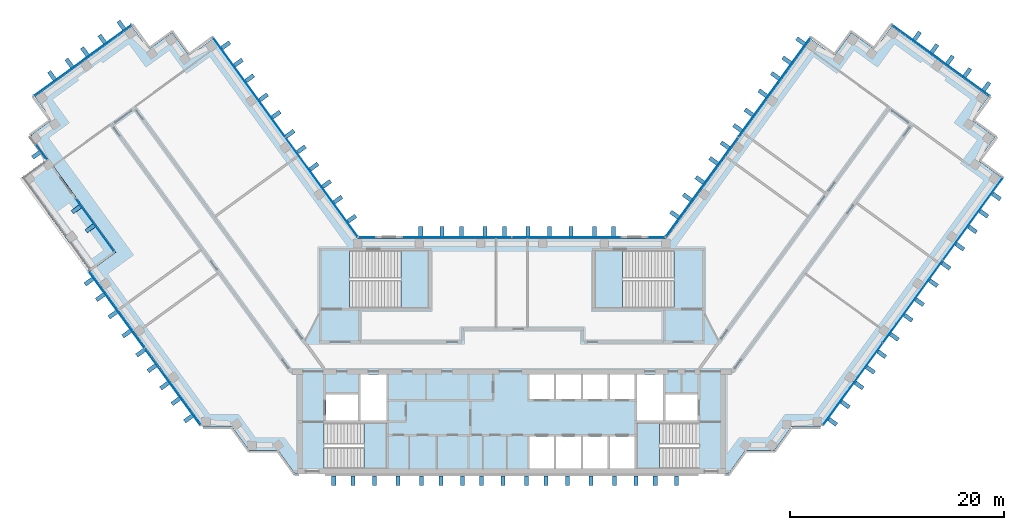
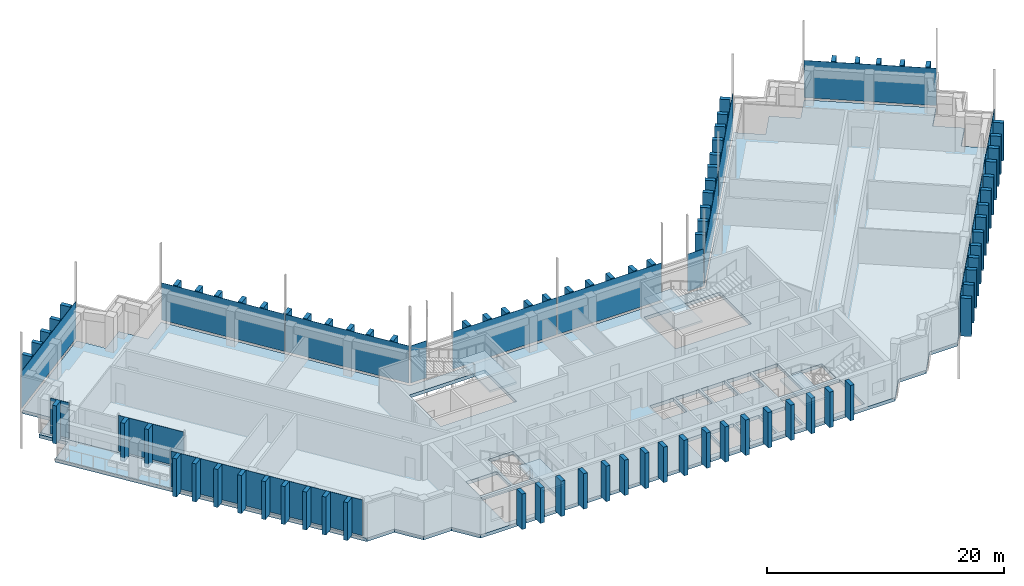
# One storey, part 6 of 13: 102 plates, 6 slabs, 15 elements without a shape of their own.
"""IFC4 building model written with IfcOpenShell, lengths in metres."""

from ifc_helpers import new_model, si_unit, direction, frame, origin, origin_2d, place, context, subcontext, project, spatial, polyline, rectangle, outline, extrude, material, layer, layer_set, type_object, element, aggregate, save


model = new_model("IFC4")

# Units and contexts
model_context = context("Model", 3, precision=1e-05, world=origin(), true_north=direction((0.0, 1.0)))
body_context = subcontext(model_context, "Body", "Model", "MODEL_VIEW")
ifc_project = project(units=[si_unit("LENGTHUNIT", "METRE"), si_unit("AREAUNIT", "SQUARE_METRE"), si_unit("VOLUMEUNIT", "CUBIC_METRE"), si_unit("PLANEANGLEUNIT", "RADIAN"), si_unit("MASSUNIT", "GRAM", prefix="KILO")], contexts=[model_context])

# Site, building, storey
site_placement = place(None, origin())
site = spatial("IfcSite", under=ifc_project, at=site_placement, CompositionType="ELEMENT")
building_placement = place(site_placement, origin())
building = spatial("IfcBuilding", under=site, at=building_placement, Name="Quipu Civic Tower", CompositionType="ELEMENT")
storey_placement = place(building_placement, frame((0.0, 0.0, 148.0)))
storey = spatial("IfcBuildingStorey", under=building, at=storey_placement, Name="L34", CompositionType="ELEMENT", Elevation=148.0)

# Slab
ifc_material_1 = material(Name="Concrete C40/50", Category="concrete")
ifc_layer_1 = layer(ifc_material_1, 0.35009765625)
ifc_layer_set_1 = layer_set([ifc_layer_1], Name="Concrete C40/50")
slab_type_1 = type_object("IfcSlabType", Name="Floor slab 350 C40/50", PredefinedType="FLOOR", material=ifc_layer_set_1)
slab_1_placement = place(storey_placement, frame((0.0, 0.0, -0.35009765625)))
element("IfcSlab", 1, at=slab_1_placement, inside=storey, type_object=slab_type_1, Name="Floor slab L34", PredefinedType="FLOOR", context=body_context, shape_type="SweptSolid", body=[
    extrude(outline(polyline([(-35.455078125, 30.800048828125), (-33.864990234375, 28.614990234375), (-31.68505859375, 30.199951171875), (-30.094970703125, 28.014892578125), (-27.909912109375, 29.60498046875), (-14.39501953125, 11.0), (14.39501953125, 11.0), (27.909912109375, 29.60498046875), (30.094970703125, 28.014892578125), (31.68505859375, 30.199951171875), (33.864990234375, 28.614990234375), (35.455078125, 30.800048828125), (44.514892578125, 24.215087890625), (42.929931640625, 22.030029296875), (45.114990234375, 20.445068359375), (43.52490234375, 18.260009765625), (45.7099609375, 16.669921875), (28.780029296875, -6.6298828125), (26.080078125, -6.6298828125), (24.489990234375, -8.81494140625), (21.7900390625, -8.81494140625), (20.205078125, -11.0), (-20.205078125, -11.0), (-21.7900390625, -8.81494140625), (-24.489990234375, -8.81494140625), (-26.080078125, -6.6298828125), (-28.780029296875, -6.6298828125), (-39.360107421875, 7.93505859375), (-36.93505859375, 9.699951171875), (-44.8701171875, 20.6201171875), (-42.929931640625, 22.030029296875), (-44.514892578125, 24.215087890625), (-35.455078125, 30.800048828125)]), holes=[polyline([(1.64990234375, -7.5), (1.64990234375, -10.5), (3.949951171875, -10.5), (3.949951171875, -7.5), (1.64990234375, -7.5)]), polyline([(4.14990234375, -7.5), (4.14990234375, -10.5), (6.449951171875, -10.5), (6.449951171875, -7.5), (4.14990234375, -7.5)]), polyline([(-11.705078125, -6.2548828125), (-17.4951171875, -6.2548828125), (-17.4951171875, -10.4951171875), (-11.705078125, -10.4951171875), (-11.705078125, -6.2548828125)]), polyline([(-17.35009765625, -3.60009765625), (-17.35009765625, -6.0), (-14.35009765625, -6.0), (-14.35009765625, -3.60009765625), (-17.35009765625, -3.60009765625)]), polyline([(-14.10009765625, -1.699951171875), (-14.10009765625, -6.0), (-11.699951171875, -6.0), (-11.699951171875, -1.699951171875), (-14.10009765625, -1.699951171875)]), polyline([(1.64990234375, -1.699951171875), (1.64990234375, -4.0), (3.949951171875, -4.0), (3.949951171875, -1.699951171875), (1.64990234375, -1.699951171875)]), polyline([(4.14990234375, -1.699951171875), (4.14990234375, -4.0), (6.449951171875, -4.0), (6.449951171875, -1.699951171875), (4.14990234375, -1.699951171875)]), polyline([(-7.7548828125, 9.844970703125), (-15.14501953125, 9.844970703125), (-15.14501953125, 4.5048828125), (-7.7548828125, 4.5048828125), (-7.7548828125, 9.844970703125)]), polyline([(6.64990234375, -7.5), (6.64990234375, -10.5), (8.949951171875, -10.5), (8.949951171875, -7.5), (6.64990234375, -7.5)]), polyline([(9.14990234375, -7.5), (9.14990234375, -10.5), (11.449951171875, -10.5), (11.449951171875, -7.5), (9.14990234375, -7.5)]), polyline([(11.705078125, -10.4951171875), (17.4951171875, -10.4951171875), (17.4951171875, -6.2548828125), (11.705078125, -6.2548828125), (11.705078125, -10.4951171875)]), polyline([(14.35009765625, -3.60009765625), (14.35009765625, -6.0), (17.35009765625, -6.0), (17.35009765625, -3.60009765625), (14.35009765625, -3.60009765625)]), polyline([(11.699951171875, -1.699951171875), (11.699951171875, -6.0), (14.10009765625, -6.0), (14.10009765625, -1.699951171875), (11.699951171875, -1.699951171875)]), polyline([(6.64990234375, -1.699951171875), (6.64990234375, -4.0), (8.949951171875, -4.0), (8.949951171875, -1.699951171875), (6.64990234375, -1.699951171875)]), polyline([(9.14990234375, -1.699951171875), (9.14990234375, -4.0), (11.449951171875, -4.0), (11.449951171875, -1.699951171875), (9.14990234375, -1.699951171875)]), polyline([(7.7548828125, 4.5048828125), (15.14501953125, 4.5048828125), (15.14501953125, 9.844970703125), (7.7548828125, 9.844970703125), (7.7548828125, 4.5048828125)])]), origin(), (0.0, 0.0, 1.0), 0.35009765625),
])

# Curtain wall, plate
ifc_material_2 = material(Name="Insulated glass unit", Category="glass")
curtain_wall_type = type_object("IfcCurtainWallType", Name="Office curtain wall CW1", PredefinedType="NOTDEFINED", material=ifc_material_2)
curtain_wall_1_placement = place(storey_placement, origin())
curtain_wall_1 = element("IfcCurtainWall", 2, at=curtain_wall_1_placement, inside=storey, type_object=curtain_wall_type, Name="Office curtain wall CW1 L34 run 2", PredefinedType="NOTDEFINED")
ifc_material_3 = material(Name="Insulated glass unit", Category="glass")
ifc_layer_2 = layer(ifc_material_3, 0.028076171875)
ifc_layer_set_2 = layer_set([ifc_layer_2], Name="Insulated glass unit")
plate_type_1 = type_object("IfcPlateType", Name="Glass panel CW1", PredefinedType="CURTAIN_PANEL", material=ifc_layer_set_2)
plate_1_placement = place(storey_placement, frame((-43.86376953125, 19.065185546875, 0.240234375), z_axis=(0.0, 0.0, 1.0), x_axis=(0.587762233854, -0.809033717749, 0.0)))
plate_1 = element("IfcPlate", 3, at=plate_1_placement, type_object=plate_type_1, Name="CW1 panel 1.1", PredefinedType="CURTAIN_PANEL", context=body_context, shape_type="SweptSolid", body=[
    extrude(rectangle(XDim=1.74267578125, YDim=0.028076171875, at=origin_2d()), origin(), (0.0, 0.0, 1.0), 3.679931640625),
])
aggregate(curtain_wall_1, [plate_1])

curtain_wall_2_placement = place(storey_placement, origin())
curtain_wall_2 = element("IfcCurtainWall", 4, at=curtain_wall_2_placement, inside=storey, type_object=curtain_wall_type, Name="Office curtain wall CW1 L34 run 5", PredefinedType="NOTDEFINED")
plate_2_placement = place(storey_placement, frame((-38.896728515625, 12.228515625, 0.240234375), z_axis=(0.0, 0.0, 1.0), x_axis=(0.587789972461, -0.809013564951, 0.0)))
plate_2 = element("IfcPlate", 5, at=plate_2_placement, type_object=plate_type_1, Name="CW1 panel 1.1", PredefinedType="CURTAIN_PANEL", context=body_context, shape_type="SweptSolid", body=[
    extrude(rectangle(XDim=6.04052734375, YDim=0.028076171875, at=origin_2d()), origin(), (0.0, 0.0, 1.0), 3.679931640625),
])
aggregate(curtain_wall_2, [plate_2])

# Curtain wall, plates
curtain_wall_3_placement = place(storey_placement, origin())
curtain_wall_3 = element("IfcCurtainWall", 6, at=curtain_wall_3_placement, inside=storey, type_object=curtain_wall_type, Name="Office curtain wall CW1 L34 run 7", PredefinedType="NOTDEFINED")
plate_3_placement = place(storey_placement, frame((-36.86572265625, 4.329345703125, 0.240234375), z_axis=(0.0, 0.0, 1.0), x_axis=(0.587786692617, -0.809015947916, 0.0)))
plate_3 = element("IfcPlate", 7, at=plate_3_placement, type_object=plate_type_1, Name="CW1 panel 1.1", PredefinedType="CURTAIN_PANEL", context=body_context, shape_type="SweptSolid", body=[
    extrude(rectangle(XDim=8.80810546875, YDim=0.028076171875, at=origin_2d()), origin(), (0.0, 0.0, 1.0), 3.679931640625),
])
plate_4_placement = place(storey_placement, frame((-31.6416015625, -2.861328125, 0.240234375), z_axis=(0.0, 0.0, 1.0), x_axis=(0.587786692617, -0.809015947916, 0.0)))
plate_4 = element("IfcPlate", 8, at=plate_4_placement, type_object=plate_type_1, Name="CW1 panel 2.1", PredefinedType="CURTAIN_PANEL", context=body_context, shape_type="SweptSolid", body=[
    extrude(rectangle(XDim=8.80810546875, YDim=0.028076171875, at=origin_2d()), origin(), (0.0, 0.0, 1.0), 3.679931640625),
])
aggregate(curtain_wall_3, [plate_3, plate_4])

curtain_wall_4_placement = place(storey_placement, origin())
curtain_wall_4 = element("IfcCurtainWall", 9, at=curtain_wall_4_placement, inside=storey, type_object=curtain_wall_type, Name="Office curtain wall CW1 L33 run 16", PredefinedType="NOTDEFINED")
plate_5_placement = place(storey_placement, frame((31.824951171875, -2.60888671875, 0.16015625), z_axis=(0.0, 0.0, 1.0), x_axis=(0.5877856923, 0.80901667469, 0.0)))
plate_5 = element("IfcPlate", 10, at=plate_5_placement, type_object=plate_type_1, Name="CW1 panel 1.2", PredefinedType="CURTAIN_PANEL", context=body_context, shape_type="SweptSolid", body=[
    extrude(rectangle(XDim=9.43212890625, YDim=0.028076171875, at=origin_2d()), origin(), (0.0, 0.0, 1.0), 3.840087890625),
])
plate_6_placement = place(storey_placement, frame((37.427734375, 5.102783203125, 0.16015625), z_axis=(0.0, 0.0, 1.0), x_axis=(0.5877856923, 0.80901667469, 0.0)))
plate_6 = element("IfcPlate", 11, at=plate_6_placement, type_object=plate_type_1, Name="CW1 panel 2.2", PredefinedType="CURTAIN_PANEL", context=body_context, shape_type="SweptSolid", body=[
    extrude(rectangle(XDim=9.471923828125, YDim=0.028076171875, at=origin_2d()), origin(), (0.0, 0.0, 1.0), 3.840087890625),
])
plate_7_placement = place(storey_placement, frame((43.030517578125, 12.814208984375, 0.16015625), z_axis=(0.0, 0.0, 1.0), x_axis=(0.5877856923, 0.80901667469, 0.0)))
plate_7 = element("IfcPlate", 12, at=plate_7_placement, type_object=plate_type_1, Name="CW1 panel 3.2", PredefinedType="CURTAIN_PANEL", context=body_context, shape_type="SweptSolid", body=[
    extrude(rectangle(XDim=9.43212890625, YDim=0.028076171875, at=origin_2d()), origin(), (0.0, 0.0, 1.0), 3.840087890625),
])
aggregate(curtain_wall_4, [plate_5, plate_6, plate_7])

# Curtain wall, plate
curtain_wall_5_placement = place(storey_placement, origin())
curtain_wall_5 = element("IfcCurtainWall", 13, at=curtain_wall_5_placement, inside=storey, type_object=curtain_wall_type, Name="Office curtain wall CW1 L33 run 21", PredefinedType="NOTDEFINED")
plate_8_placement = place(storey_placement, frame((40.04345703125, 27.58740234375, 0.16015625), z_axis=(0.0, 0.0, 1.0), x_axis=(-0.809015176832, 0.587787753918, 0.0)))
plate_8 = element("IfcPlate", 14, at=plate_8_placement, type_object=plate_type_1, Name="CW1 panel 1.2", PredefinedType="CURTAIN_PANEL", context=body_context, shape_type="SweptSolid", body=[
    extrude(rectangle(XDim=11.239990234375, YDim=0.028076171875, at=origin_2d()), origin(), (0.0, 0.0, 1.0), 3.840087890625),
])
aggregate(curtain_wall_5, [plate_8])

# Curtain wall, plates
curtain_wall_6_placement = place(storey_placement, origin())
curtain_wall_6 = element("IfcCurtainWall", 15, at=curtain_wall_6_placement, inside=storey, type_object=curtain_wall_type, Name="Office curtain wall CW1 L33 run 26", PredefinedType="NOTDEFINED")
plate_9_placement = place(storey_placement, frame((24.491455078125, 25.066162109375, 0.16015625), z_axis=(0.0, 0.0, 1.0), x_axis=(-0.587788727052, -0.809014469803, 0.0)))
plate_9 = element("IfcPlate", 16, at=plate_9_placement, type_object=plate_type_1, Name="CW1 panel 1.2", PredefinedType="CURTAIN_PANEL", context=body_context, shape_type="SweptSolid", body=[
    extrude(rectangle(XDim=11.402099609375, YDim=0.028076171875, at=origin_2d()), origin(), (0.0, 0.0, 1.0), 3.840087890625),
])
plate_10_placement = place(storey_placement, frame((17.7421875, 15.777099609375, 0.16015625), z_axis=(0.0, 0.0, 1.0), x_axis=(-0.587788727052, -0.809014469803, 0.0)))
plate_10 = element("IfcPlate", 17, at=plate_10_placement, type_object=plate_type_1, Name="CW1 panel 2.2", PredefinedType="CURTAIN_PANEL", context=body_context, shape_type="SweptSolid", body=[
    extrude(rectangle(XDim=11.402099609375, YDim=0.028076171875, at=origin_2d()), origin(), (0.0, 0.0, 1.0), 3.840087890625),
])
aggregate(curtain_wall_6, [plate_9, plate_10])

# Curtain wall, plate
curtain_wall_7_placement = place(storey_placement, origin())
curtain_wall_7 = element("IfcCurtainWall", 18, at=curtain_wall_7_placement, inside=storey, type_object=curtain_wall_type, Name="Office curtain wall CW1 L33 run 27", PredefinedType="NOTDEFINED")
plate_11_placement = place(storey_placement, frame((13.49951171875, 11.10009765625, 0.16015625), z_axis=(0.0, 0.0, 1.0), x_axis=(-1.0, 0.0, 0.0)))
plate_11 = element("IfcPlate", 19, at=plate_11_placement, type_object=plate_type_1, Name="CW1 panel 1.2", PredefinedType="CURTAIN_PANEL", context=body_context, shape_type="SweptSolid", body=[
    extrude(rectangle(XDim=1.529296875, YDim=0.028076171875, at=origin_2d()), origin(), (0.0, 0.0, 1.0), 3.840087890625),
])
aggregate(curtain_wall_7, [plate_11])

# Curtain wall, plates
curtain_wall_8_placement = place(storey_placement, origin())
curtain_wall_8 = element("IfcCurtainWall", 20, at=curtain_wall_8_placement, inside=storey, type_object=curtain_wall_type, Name="Office curtain wall CW1 L33 run 29", PredefinedType="NOTDEFINED")
plate_12_placement = place(storey_placement, frame((5.11181640625, 11.10009765625, 0.16015625), z_axis=(0.0, 0.0, 1.0), x_axis=(-1.0, 0.0, 0.0)))
plate_12 = element("IfcPlate", 21, at=plate_12_placement, type_object=plate_type_1, Name="CW1 panel 1.2", PredefinedType="CURTAIN_PANEL", context=body_context, shape_type="SweptSolid", body=[
    extrude(rectangle(XDim=10.1435546875, YDim=0.028076171875, at=origin_2d()), origin(), (0.0, 0.0, 1.0), 3.840087890625),
])
plate_13_placement = place(storey_placement, frame((-5.11181640625, 11.10009765625, 0.16015625), z_axis=(0.0, 0.0, 1.0), x_axis=(-1.0, 0.0, 0.0)))
plate_13 = element("IfcPlate", 22, at=plate_13_placement, type_object=plate_type_1, Name="CW1 panel 2.2", PredefinedType="CURTAIN_PANEL", context=body_context, shape_type="SweptSolid", body=[
    extrude(rectangle(XDim=10.1435546875, YDim=0.028076171875, at=origin_2d()), origin(), (0.0, 0.0, 1.0), 3.840087890625),
])
aggregate(curtain_wall_8, [plate_12, plate_13])

# Curtain wall, plate
curtain_wall_9_placement = place(storey_placement, origin())
curtain_wall_9 = element("IfcCurtainWall", 23, at=curtain_wall_9_placement, inside=storey, type_object=curtain_wall_type, Name="Office curtain wall CW1 L33 run 31", PredefinedType="NOTDEFINED")
plate_14_placement = place(storey_placement, frame((-13.49951171875, 11.10009765625, 0.16015625), z_axis=(0.0, 0.0, 1.0), x_axis=(-1.0, 0.0, 0.0)))
plate_14 = element("IfcPlate", 24, at=plate_14_placement, type_object=plate_type_1, Name="CW1 panel 1.2", PredefinedType="CURTAIN_PANEL", context=body_context, shape_type="SweptSolid", body=[
    extrude(rectangle(XDim=1.529296875, YDim=0.028076171875, at=origin_2d()), origin(), (0.0, 0.0, 1.0), 3.840087890625),
])
aggregate(curtain_wall_9, [plate_14])

# Curtain wall, plates
curtain_wall_10_placement = place(storey_placement, origin())
curtain_wall_10 = element("IfcCurtainWall", 25, at=curtain_wall_10_placement, inside=storey, type_object=curtain_wall_type, Name="Office curtain wall CW1 L33 run 32", PredefinedType="NOTDEFINED")
plate_15_placement = place(storey_placement, frame((-17.7421875, 15.777099609375, 0.16015625), z_axis=(0.0, 0.0, 1.0), x_axis=(-0.587788727052, 0.809014469803, 0.0)))
plate_15 = element("IfcPlate", 26, at=plate_15_placement, type_object=plate_type_1, Name="CW1 panel 1.2", PredefinedType="CURTAIN_PANEL", context=body_context, shape_type="SweptSolid", body=[
    extrude(rectangle(XDim=11.402099609375, YDim=0.028076171875, at=origin_2d()), origin(), (0.0, 0.0, 1.0), 3.840087890625),
])
plate_16_placement = place(storey_placement, frame((-24.491455078125, 25.066162109375, 0.16015625), z_axis=(0.0, 0.0, 1.0), x_axis=(-0.587788727052, 0.809014469803, 0.0)))
plate_16 = element("IfcPlate", 27, at=plate_16_placement, type_object=plate_type_1, Name="CW1 panel 2.2", PredefinedType="CURTAIN_PANEL", context=body_context, shape_type="SweptSolid", body=[
    extrude(rectangle(XDim=11.402099609375, YDim=0.028076171875, at=origin_2d()), origin(), (0.0, 0.0, 1.0), 3.840087890625),
])
aggregate(curtain_wall_10, [plate_15, plate_16])

# Curtain wall, plate
curtain_wall_11_placement = place(storey_placement, origin())
curtain_wall_11 = element("IfcCurtainWall", 28, at=curtain_wall_11_placement, inside=storey, type_object=curtain_wall_type, Name="Office curtain wall CW1 L33 run 37", PredefinedType="NOTDEFINED")
plate_17_placement = place(storey_placement, frame((-40.04345703125, 27.58740234375, 0.16015625), z_axis=(0.0, 0.0, 1.0), x_axis=(-0.809015176832, -0.587787753918, 0.0)))
plate_17 = element("IfcPlate", 29, at=plate_17_placement, type_object=plate_type_1, Name="CW1 panel 1.2", PredefinedType="CURTAIN_PANEL", context=body_context, shape_type="SweptSolid", body=[
    extrude(rectangle(XDim=11.239990234375, YDim=0.028076171875, at=origin_2d()), origin(), (0.0, 0.0, 1.0), 3.840087890625),
])
aggregate(curtain_wall_11, [plate_17])

# Plates
ifc_material_4 = material(Name="Precast concrete C40/50", Category="concrete")
plate_type_2 = type_object("IfcPlateType", Name="Precast fin F2", PredefinedType="SHEET", material=ifc_material_4)
for number, where, z_axis, x_axis, name in (
    (30, (-44.3447265625, 18.79150390625, 0.080078125), (0.0, 0.0, 1.0), (0.587786244816, -0.809016273264, 0.0), "Precast fin F2 L34.2.1"),
    (31, (-40.640869140625, 13.693359375, 0.080078125), (0.0, 0.0, 1.0), (0.587786244816, -0.809016273264, 0.0), "Precast fin F2 L34.5.1"),
    (32, (-39.34765625, 11.91357421875, 0.080078125), (0.0, 0.0, 1.0), (0.587786244816, -0.809016273264, 0.0), "Precast fin F2 L34.5.2"),
    (33, (-39.45263671875, 6.9541015625, 0.080078125), (0.0, 0.0, 1.0), (0.587786569265, -0.809016037537, 0.0), "Precast fin F2 L34.7.1"),
    (34, (-38.394775390625, 5.498046875, 0.080078125), (0.0, 0.0, 1.0), (0.587786569265, -0.809016037537, 0.0), "Precast fin F2 L34.7.2"),
    (35, (-37.218994140625, 3.8798828125, 0.080078125), (0.0, 0.0, 1.0), (0.587786569265, -0.809016037537, 0.0), "Precast fin F2 L34.7.3"),
    (36, (-35.926025390625, 2.10009765625, 0.080078125), (0.0, 0.0, 1.0), (0.587786569265, -0.809016037537, 0.0), "Precast fin F2 L34.7.4"),
    (37, (-34.6328125, 0.3203125, 0.080078125), (0.0, 0.0, 1.0), (0.587786569265, -0.809016037537, 0.0), "Precast fin F2 L34.7.5"),
    (38, (-33.574951171875, -1.135986328125, 0.080078125), (0.0, 0.0, 1.0), (0.587786569265, -0.809016037537, 0.0), "Precast fin F2 L34.7.6"),
    (39, (-32.399169921875, -2.75390625, 0.080078125), (0.0, 0.0, 1.0), (0.587786569265, -0.809016037537, 0.0), "Precast fin F2 L34.7.7"),
    (40, (-31.34130859375, -4.210205078125, 0.080078125), (0.0, 0.0, 1.0), (0.587786569265, -0.809016037537, 0.0), "Precast fin F2 L34.7.8"),
    (41, (-30.165771484375, -5.828369140625, 0.080078125), (0.0, 0.0, 1.0), (0.587786569265, -0.809016037537, 0.0), "Precast fin F2 L34.7.9"),
):
    element("IfcPlate", number, at=place(storey_placement, frame(where, z_axis=z_axis, x_axis=x_axis)), inside=storey, type_object=plate_type_2, Name=name, PredefinedType="SHEET", context=body_context, shape_type="SweptSolid", body=[
        extrude(rectangle(XDim=0.3798828125, YDim=0.89990234375, at=origin_2d()), origin(), (0.0, 0.0, 1.0), 3.919921875),
    ])
for number, where, z_axis, x_axis, name in (
    (42, (-16.610107421875, -11.637939453125, 0.0), (0.0, 0.0, 1.0), (1.0, 0.0, 0.0), "Precast fin F2 L34.P07.1"),
    (43, (-14.81005859375, -11.637939453125, 0.0), (0.0, 0.0, 1.0), (1.0, 0.0, 0.0), "Precast fin F2 L34.P07.2"),
    (44, (-12.81005859375, -11.637939453125, 0.0), (0.0, 0.0, 1.0), (1.0, 0.0, 0.0), "Precast fin F2 L34.P07.3"),
    (45, (-10.610107421875, -11.637939453125, 0.0), (0.0, 0.0, 1.0), (1.0, 0.0, 0.0), "Precast fin F2 L34.P07.4"),
    (46, (-8.409912109375, -11.637939453125, 0.0), (0.0, 0.0, 1.0), (1.0, 0.0, 0.0), "Precast fin F2 L34.P07.5"),
    (47, (-6.610107421875, -11.637939453125, 0.0), (0.0, 0.0, 1.0), (1.0, 0.0, 0.0), "Precast fin F2 L34.P07.6"),
    (48, (-4.610107421875, -11.637939453125, 0.0), (0.0, 0.0, 1.0), (1.0, 0.0, 0.0), "Precast fin F2 L34.P07.7"),
    (49, (-2.81005859375, -11.637939453125, 0.0), (0.0, 0.0, 1.0), (1.0, 0.0, 0.0), "Precast fin F2 L34.P07.8"),
    (50, (-0.81005859375, -11.637939453125, 0.0), (0.0, 0.0, 1.0), (1.0, 0.0, 0.0), "Precast fin F2 L34.P07.9"),
    (51, (1.389892578125, -11.637939453125, 0.0), (0.0, 0.0, 1.0), (1.0, 0.0, 0.0), "Precast fin F2 L34.P07.10"),
    (52, (3.18994140625, -11.637939453125, 0.0), (0.0, 0.0, 1.0), (1.0, 0.0, 0.0), "Precast fin F2 L34.P07.11"),
    (53, (5.18994140625, -11.637939453125, 0.0), (0.0, 0.0, 1.0), (1.0, 0.0, 0.0), "Precast fin F2 L34.P07.12"),
    (54, (7.389892578125, -11.637939453125, 0.0), (0.0, 0.0, 1.0), (1.0, 0.0, 0.0), "Precast fin F2 L34.P07.13"),
    (55, (9.590087890625, -11.637939453125, 0.0), (0.0, 0.0, 1.0), (1.0, 0.0, 0.0), "Precast fin F2 L34.P07.14"),
    (56, (11.590087890625, -11.637939453125, 0.0), (0.0, 0.0, 1.0), (1.0, 0.0, 0.0), "Precast fin F2 L34.P07.15"),
    (57, (13.389892578125, -11.637939453125, 0.0), (0.0, 0.0, 1.0), (1.0, 0.0, 0.0), "Precast fin F2 L34.P07.16"),
    (58, (15.389892578125, -11.637939453125, 0.0), (0.0, 0.0, 1.0), (1.0, 0.0, 0.0), "Precast fin F2 L34.P07.17"),
):
    element("IfcPlate", number, at=place(storey_placement, frame(where, z_axis=z_axis, x_axis=x_axis)), inside=storey, type_object=plate_type_2, Name=name, PredefinedType="SHEET", context=body_context, shape_type="SweptSolid", body=[
        extrude(rectangle(XDim=0.3798828125, YDim=0.89990234375, at=origin_2d()), origin(), (0.0, 0.0, 1.0), 3.64990234375),
    ])
for number, where, z_axis, x_axis, name in (
    (59, (29.944091796875, -6.133056640625, 0.080078125), (0.0, 0.0, 1.0), (0.587785620359, 0.809016726959, 0.0), "Precast fin F2 L34.P13.1"),
    (60, (31.119873046875, -4.51513671875, 0.080078125), (0.0, 0.0, 1.0), (0.587785620359, 0.809016726959, 0.0), "Precast fin F2 L34.P13.2"),
    (61, (32.412841796875, -2.7353515625, 0.080078125), (0.0, 0.0, 1.0), (0.587785620359, 0.809016726959, 0.0), "Precast fin F2 L34.P13.3"),
    (62, (33.470947265625, -1.279052734375, 0.080078125), (0.0, 0.0, 1.0), (0.587785620359, 0.809016726959, 0.0), "Precast fin F2 L34.P13.4"),
    (63, (34.52880859375, 0.17724609375, 0.080078125), (0.0, 0.0, 1.0), (0.587785620359, 0.809016726959, 0.0), "Precast fin F2 L34.P13.5"),
    (64, (35.70458984375, 1.795166015625, 0.080078125), (0.0, 0.0, 1.0), (0.587785620359, 0.809016726959, 0.0), "Precast fin F2 L34.P13.6"),
    (65, (36.99755859375, 3.5751953125, 0.080078125), (0.0, 0.0, 1.0), (0.587785620359, 0.809016726959, 0.0), "Precast fin F2 L34.P13.7"),
    (66, (38.0556640625, 5.03125, 0.080078125), (0.0, 0.0, 1.0), (0.587785620359, 0.809016726959, 0.0), "Precast fin F2 L34.P13.8"),
    (67, (39.348876953125, 6.81103515625, 0.080078125), (0.0, 0.0, 1.0), (0.587785620359, 0.809016726959, 0.0), "Precast fin F2 L34.P13.9"),
    (68, (40.5244140625, 8.42919921875, 0.080078125), (0.0, 0.0, 1.0), (0.587785620359, 0.809016726959, 0.0), "Precast fin F2 L34.P13.10"),
    (69, (41.8173828125, 10.208984375, 0.080078125), (0.0, 0.0, 1.0), (0.587785620359, 0.809016726959, 0.0), "Precast fin F2 L34.P13.11"),
    (70, (42.992919921875, 11.8271484375, 0.080078125), (0.0, 0.0, 1.0), (0.587785620359, 0.809016726959, 0.0), "Precast fin F2 L34.P13.12"),
    (71, (44.051025390625, 13.283203125, 0.080078125), (0.0, 0.0, 1.0), (0.587785620359, 0.809016726959, 0.0), "Precast fin F2 L34.P13.13"),
    (72, (45.2265625, 14.9013671875, 0.080078125), (0.0, 0.0, 1.0), (0.587785620359, 0.809016726959, 0.0), "Precast fin F2 L34.P13.14"),
    (73, (44.298583984375, 25.17578125, 0.080078125), (0.0, 0.0, 1.0), (-0.809017072762, 0.587785144401, 0.0), "Precast fin F2 L34.P18.1"),
    (74, (42.518798828125, 26.468994140625, 0.080078125), (0.0, 0.0, 1.0), (-0.809017072762, 0.587785144401, 0.0), "Precast fin F2 L34.P18.2"),
    (75, (40.900634765625, 27.64453125, 0.080078125), (0.0, 0.0, 1.0), (-0.809017072762, 0.587785144401, 0.0), "Precast fin F2 L34.P18.3"),
    (76, (39.444580078125, 28.70263671875, 0.080078125), (0.0, 0.0, 1.0), (-0.809017072762, 0.587785144401, 0.0), "Precast fin F2 L34.P18.4"),
    (77, (37.826416015625, 29.878173828125, 0.080078125), (0.0, 0.0, 1.0), (-0.809017072762, 0.587785144401, 0.0), "Precast fin F2 L34.P18.5"),
    (78, (26.95068359375, 29.386962890625, 0.080078125), (0.0, 0.0, 1.0), (-0.587787133119, -0.809015627871, 0.0), "Precast fin F2 L34.P23.1"),
    (79, (25.657470703125, 27.607177734375, 0.080078125), (0.0, 0.0, 1.0), (-0.587787133119, -0.809015627871, 0.0), "Precast fin F2 L34.P23.2"),
    (80, (24.599609375, 26.15087890625, 0.080078125), (0.0, 0.0, 1.0), (-0.587787133119, -0.809015627871, 0.0), "Precast fin F2 L34.P23.3"),
    (81, (23.424072265625, 24.53271484375, 0.080078125), (0.0, 0.0, 1.0), (-0.587787133119, -0.809015627871, 0.0), "Precast fin F2 L34.P23.4"),
    (82, (22.130859375, 22.7529296875, 0.080078125), (0.0, 0.0, 1.0), (-0.587787133119, -0.809015627871, 0.0), "Precast fin F2 L34.P23.5"),
    (83, (21.07275390625, 21.296630859375, 0.080078125), (0.0, 0.0, 1.0), (-0.587787133119, -0.809015627871, 0.0), "Precast fin F2 L34.P23.6"),
    (84, (19.897216796875, 19.6787109375, 0.080078125), (0.0, 0.0, 1.0), (-0.587787133119, -0.809015627871, 0.0), "Precast fin F2 L34.P23.7"),
    (85, (18.839111328125, 18.222412109375, 0.080078125), (0.0, 0.0, 1.0), (-0.587787133119, -0.809015627871, 0.0), "Precast fin F2 L34.P23.8"),
    (86, (17.546142578125, 16.442626953125, 0.080078125), (0.0, 0.0, 1.0), (-0.587787133119, -0.809015627871, 0.0), "Precast fin F2 L34.P23.9"),
    (87, (16.37060546875, 14.82470703125, 0.080078125), (0.0, 0.0, 1.0), (-0.587787133119, -0.809015627871, 0.0), "Precast fin F2 L34.P23.10"),
    (88, (15.19482421875, 13.20654296875, 0.080078125), (0.0, 0.0, 1.0), (-0.587787133119, -0.809015627871, 0.0), "Precast fin F2 L34.P23.11"),
    (89, (9.510009765625, 11.64990234375, 0.080078125), (0.0, 0.0, 1.0), (-1.0, 0.0, 0.0), "Precast fin F2 L34.P26.1"),
    (90, (7.7099609375, 11.64990234375, 0.080078125), (0.0, 0.0, 1.0), (-1.0, 0.0, 0.0), "Precast fin F2 L34.P26.2"),
    (91, (5.510009765625, 11.64990234375, 0.080078125), (0.0, 0.0, 1.0), (-1.0, 0.0, 0.0), "Precast fin F2 L34.P26.3"),
    (92, (3.510009765625, 11.64990234375, 0.080078125), (0.0, 0.0, 1.0), (-1.0, 0.0, 0.0), "Precast fin F2 L34.P26.4"),
    (93, (1.510009765625, 11.64990234375, 0.080078125), (0.0, 0.0, 1.0), (-1.0, 0.0, 0.0), "Precast fin F2 L34.P26.5"),
    (94, (-0.68994140625, 11.64990234375, 0.080078125), (0.0, 0.0, 1.0), (-1.0, 0.0, 0.0), "Precast fin F2 L34.P26.6"),
    (95, (-2.489990234375, 11.64990234375, 0.080078125), (0.0, 0.0, 1.0), (-1.0, 0.0, 0.0), "Precast fin F2 L34.P26.7"),
    (96, (-4.68994140625, 11.64990234375, 0.080078125), (0.0, 0.0, 1.0), (-1.0, 0.0, 0.0), "Precast fin F2 L34.P26.8"),
    (97, (-6.489990234375, 11.64990234375, 0.080078125), (0.0, 0.0, 1.0), (-1.0, 0.0, 0.0), "Precast fin F2 L34.P26.9"),
    (98, (-8.489990234375, 11.64990234375, 0.080078125), (0.0, 0.0, 1.0), (-1.0, 0.0, 0.0), "Precast fin F2 L34.P26.10"),
    (99, (-14.92138671875, 12.830078125, 0.080078125), (0.0, 0.0, 1.0), (-0.587787133119, 0.809015627871, 0.0), "Precast fin F2 L34.P29.1"),
    (100, (-16.214599609375, 14.610107421875, 0.080078125), (0.0, 0.0, 1.0), (-0.587787133119, 0.809015627871, 0.0), "Precast fin F2 L34.P29.2"),
    (101, (-17.272705078125, 16.066162109375, 0.080078125), (0.0, 0.0, 1.0), (-0.587787133119, 0.809015627871, 0.0), "Precast fin F2 L34.P29.3"),
    (102, (-18.4482421875, 17.684326171875, 0.080078125), (0.0, 0.0, 1.0), (-0.587787133119, 0.809015627871, 0.0), "Precast fin F2 L34.P29.4"),
    (103, (-19.623779296875, 19.30224609375, 0.080078125), (0.0, 0.0, 1.0), (-0.587787133119, 0.809015627871, 0.0), "Precast fin F2 L34.P29.5"),
    (104, (-20.681884765625, 20.758544921875, 0.080078125), (0.0, 0.0, 1.0), (-0.587787133119, 0.809015627871, 0.0), "Precast fin F2 L34.P29.6"),
    (105, (-21.974853515625, 22.538330078125, 0.080078125), (0.0, 0.0, 1.0), (-0.587787133119, 0.809015627871, 0.0), "Precast fin F2 L34.P29.7"),
    (106, (-23.150390625, 24.156494140625, 0.080078125), (0.0, 0.0, 1.0), (-0.587787133119, 0.809015627871, 0.0), "Precast fin F2 L34.P29.8"),
    (107, (-24.443603515625, 25.936279296875, 0.080078125), (0.0, 0.0, 1.0), (-0.587787133119, 0.809015627871, 0.0), "Precast fin F2 L34.P29.9"),
    (108, (-25.501708984375, 27.392578125, 0.080078125), (0.0, 0.0, 1.0), (-0.587787133119, 0.809015627871, 0.0), "Precast fin F2 L34.P29.10"),
    (109, (-26.67724609375, 29.010498046875, 0.080078125), (0.0, 0.0, 1.0), (-0.587787133119, 0.809015627871, 0.0), "Precast fin F2 L34.P29.11"),
    (110, (-36.434814453125, 30.88916015625, 0.080078125), (0.0, 0.0, 1.0), (-0.809017072762, -0.587785144401, 0.0), "Precast fin F2 L34.P34.1"),
    (111, (-38.21484375, 29.595947265625, 0.080078125), (0.0, 0.0, 1.0), (-0.809017072762, -0.587785144401, 0.0), "Precast fin F2 L34.P34.2"),
    (112, (-39.832763671875, 28.42041015625, 0.080078125), (0.0, 0.0, 1.0), (-0.809017072762, -0.587785144401, 0.0), "Precast fin F2 L34.P34.3"),
    (113, (-41.2890625, 27.3623046875, 0.080078125), (0.0, 0.0, 1.0), (-0.809017072762, -0.587785144401, 0.0), "Precast fin F2 L34.P34.4"),
    (114, (-42.906982421875, 26.186767578125, 0.080078125), (0.0, 0.0, 1.0), (-0.809017072762, -0.587785144401, 0.0), "Precast fin F2 L34.P34.5"),
):
    element("IfcPlate", number, at=place(storey_placement, frame(where, z_axis=z_axis, x_axis=x_axis)), inside=storey, type_object=plate_type_2, Name=name, PredefinedType="SHEET", context=body_context, shape_type="SweptSolid", body=[
        extrude(rectangle(XDim=0.3798828125, YDim=0.89990234375, at=origin_2d()), origin(), (0.0, 0.0, 1.0), 3.919921875),
    ])

# Stair, slab
ifc_material_5 = material(Name="Concrete C40/50", Category="concrete")
stair_type_1 = type_object("IfcStairType", Name="Half turn stair 2000", PredefinedType="HALF_TURN_STAIR", material=ifc_material_5)
stair_1_placement = place(storey_placement, origin())
stair_1 = element("IfcStair", 115, at=stair_1_placement, inside=storey, type_object=stair_type_1, Name="Exit stair 1", PredefinedType="HALF_TURN_STAIR")
ifc_material_6 = material(Name="Concrete C40/50", Category="concrete")
ifc_layer_3 = layer(ifc_material_6, 0.199951171875)
ifc_layer_set_3 = layer_set([ifc_layer_3], Name="Concrete C40/50")
slab_type_2 = type_object("IfcSlabType", Name="Stair landing 200", PredefinedType="LANDING", material=ifc_layer_set_3)
slab_2_placement = place(storey_placement, frame((0.0, 0.0, 1.800048828125)))
slab_2 = element("IfcSlab", 116, at=slab_2_placement, type_object=slab_type_2, Name="ST-1 landing 1", PredefinedType="LANDING", context=body_context, shape_type="SweptSolid", body=[
    extrude(outline(polyline([(-13.780029296875, -10.5), (-11.699951171875, -10.5), (-11.699951171875, -6.25), (-13.780029296875, -6.25), (-13.780029296875, -10.5)])), origin(), (0.0, 0.0, 1.0), 0.199951171875),
])
aggregate(stair_1, [slab_2])

stair_2_placement = place(storey_placement, origin())
stair_2 = element("IfcStair", 117, at=stair_2_placement, inside=storey, type_object=stair_type_1, Name="Exit stair 2", PredefinedType="HALF_TURN_STAIR")
slab_3_placement = place(storey_placement, frame((0.0, 0.0, 1.800048828125)))
slab_3 = element("IfcSlab", 118, at=slab_3_placement, type_object=slab_type_2, Name="ST-2 landing 1", PredefinedType="LANDING", context=body_context, shape_type="SweptSolid", body=[
    extrude(outline(polyline([(13.780029296875, -6.25), (11.699951171875, -6.25), (11.699951171875, -10.5), (13.780029296875, -10.5), (13.780029296875, -6.25)])), origin(), (0.0, 0.0, 1.0), 0.199951171875),
])
aggregate(stair_2, [slab_3])

ifc_material_7 = material(Name="Concrete C40/50", Category="concrete")
stair_type_2 = type_object("IfcStairType", Name="Half turn stair 2600", PredefinedType="HALF_TURN_STAIR", material=ifc_material_7)
stair_3_placement = place(storey_placement, origin())
stair_3 = element("IfcStair", 119, at=stair_3_placement, inside=storey, type_object=stair_type_2, Name="Exit stair 3", PredefinedType="HALF_TURN_STAIR")
slab_4_placement = place(storey_placement, frame((0.0, 0.0, 1.800048828125)))
slab_4 = element("IfcSlab", 120, at=slab_4_placement, type_object=slab_type_2, Name="ST-3 landing 1", PredefinedType="LANDING", context=body_context, shape_type="SweptSolid", body=[
    extrude(outline(polyline([(-10.35009765625, 4.5), (-7.75, 4.5), (-7.75, 9.85009765625), (-10.35009765625, 9.85009765625), (-10.35009765625, 4.5)])), origin(), (0.0, 0.0, 1.0), 0.199951171875),
])
aggregate(stair_3, [slab_4])

stair_4_placement = place(storey_placement, origin())
stair_4 = element("IfcStair", 121, at=stair_4_placement, inside=storey, type_object=stair_type_2, Name="Exit stair 4", PredefinedType="HALF_TURN_STAIR")
slab_5_placement = place(storey_placement, frame((0.0, 0.0, 1.800048828125)))
slab_5 = element("IfcSlab", 122, at=slab_5_placement, type_object=slab_type_2, Name="ST-4 landing 1", PredefinedType="LANDING", context=body_context, shape_type="SweptSolid", body=[
    extrude(outline(polyline([(10.35009765625, 9.85009765625), (7.75, 9.85009765625), (7.75, 4.5), (10.35009765625, 4.5), (10.35009765625, 9.85009765625)])), origin(), (0.0, 0.0, 1.0), 0.199951171875),
])
aggregate(stair_4, [slab_5])

# Slab
ifc_material_8 = material(Name="Concrete C40/50", Category="concrete")
ifc_layer_4 = layer(ifc_material_8, 0.35009765625)
ifc_layer_set_4 = layer_set([ifc_layer_4], Name="Concrete C40/50")
slab_type_3 = type_object("IfcSlabType", Name="Terrace slab 350 C40/50", PredefinedType="FLOOR", material=ifc_layer_set_4)
slab_6_placement = place(storey_placement, frame((0.0, 0.0, -0.35009765625)))
element("IfcSlab", 123, at=slab_6_placement, inside=storey, type_object=slab_type_3, Name="Terrace slab L34", PredefinedType="FLOOR", context=body_context, shape_type="SweptSolid", body=[
    extrude(outline(polyline([(-43.52490234375, 18.260009765625), (-45.114990234375, 20.445068359375), (-44.8701171875, 20.6201171875), (-36.93505859375, 9.699951171875), (-39.360107421875, 7.93505859375), (-45.7099609375, 16.669921875), (-43.52490234375, 18.260009765625)])), origin(), (0.0, 0.0, 1.0), 0.35009765625),
])

save(model, "model.ifc")
